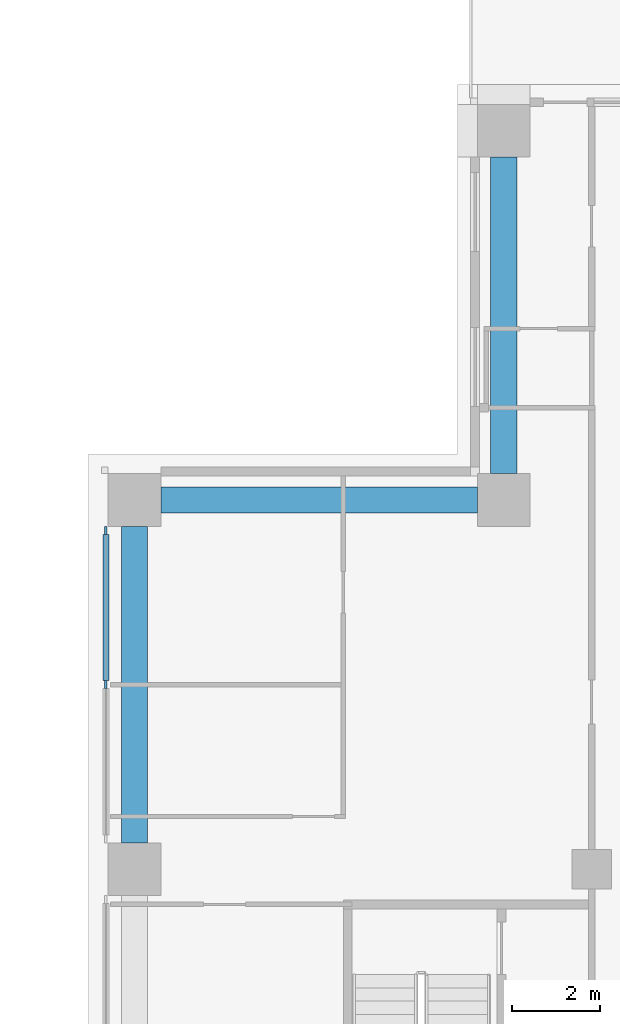
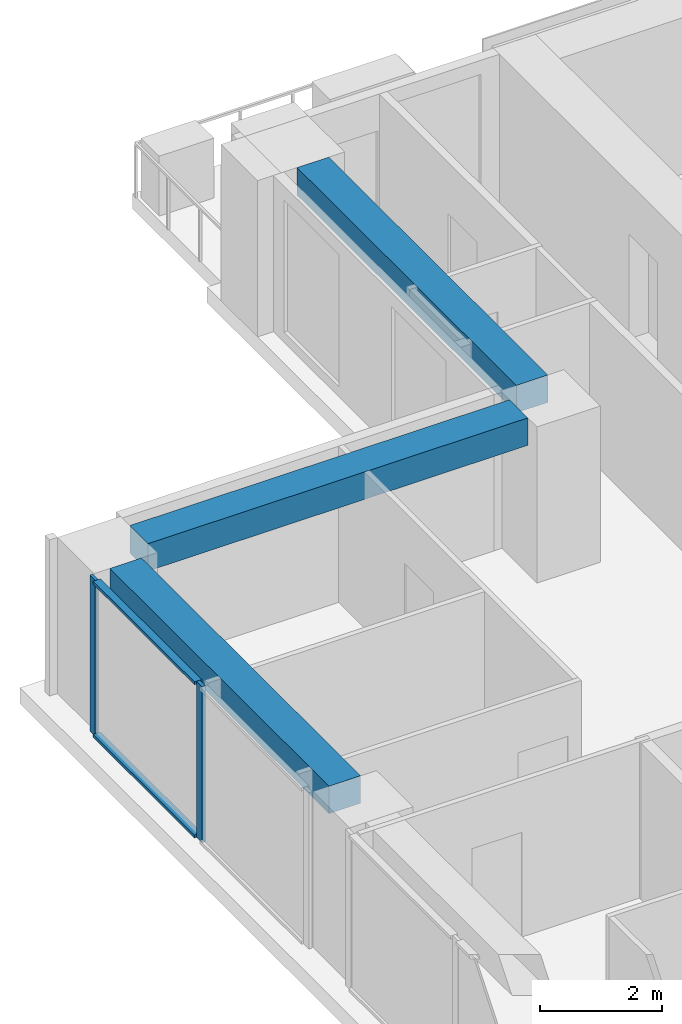
# One storey, part 5 of 18: 4 members, 3 beams, 1 element without a shape of its own.
"""IFC4 building model written with IfcOpenShell, lengths in metres."""

from ifc_helpers import new_model, si_unit, direction, frame, origin, origin_2d, place, context, subcontext, project, spatial, rectangle, extrude, material, material_profile, profile_set, type_object, element, aggregate, save


model = new_model("IFC4")

# Units and contexts
model_context = context("Model", 3, precision=1e-05, world=origin(), true_north=direction((0.0, 1.0)))
body_context = subcontext(model_context, "Body", "Model", "MODEL_VIEW")
ifc_project = project(units=[si_unit("LENGTHUNIT", "METRE"), si_unit("AREAUNIT", "SQUARE_METRE"), si_unit("VOLUMEUNIT", "CUBIC_METRE"), si_unit("PLANEANGLEUNIT", "RADIAN"), si_unit("MASSUNIT", "GRAM", prefix="KILO")], contexts=[model_context])

# Site, building, storey
site_placement = place(None, origin())
site = spatial("IfcSite", under=ifc_project, at=site_placement, CompositionType="ELEMENT")
building_placement = place(site_placement, origin())
building = spatial("IfcBuilding", under=site, at=building_placement, Name="Vermilion Ogive Tower", CompositionType="ELEMENT")
storey_placement = place(building_placement, frame((0.0, 0.0, 94.199951171875)))
storey = spatial("IfcBuildingStorey", under=building, at=storey_placement, Name="L23", CompositionType="ELEMENT", Elevation=94.199951171875)

# Curtain wall, members
ifc_material_1 = material(Name="Low-iron laminated glazing in aluminium frame", Category="aluminium")
curtain_wall_type = type_object("IfcCurtainWallType", Name="Curtain wall CW7", PredefinedType="NOTDEFINED", material=ifc_material_1)
curtain_wall_placement = place(storey_placement, origin())
curtain_wall = element("IfcCurtainWall", 1, at=curtain_wall_placement, inside=storey, type_object=curtain_wall_type, Name="Glazed skin W1", PredefinedType="NOTDEFINED")
ifc_material_2 = material(Name="Aluminium mullion", Category="aluminium")
ifc_material_profile_1 = material_profile(ifc_material_2, rectangle(XDim=0.06005859375, YDim=0.179931640625, at=origin_2d()), Name="AL 60x180")
ifc_profile_set_1 = profile_set([ifc_material_profile_1], Name="Aluminium mullion")
member_type_1 = type_object("IfcMemberType", Name="CW7 mullion 60x180", PredefinedType="MULLION", material=ifc_profile_set_1)
member_1_placement = place(storey_placement, frame((-25.85009765625, 11.909912109375, 0.0), z_axis=(0.0, 0.0, 1.0), x_axis=(1.0, 0.0, 0.0)))
member_1 = element("IfcMember", 2, at=member_1_placement, type_object=member_type_1, Name="CW7-W1 mullion 1", PredefinedType="MULLION", context=body_context, shape_type="SweptSolid", body=[
    extrude(rectangle(XDim=0.06005859375, YDim=0.179931640625, at=origin_2d()), origin(), (0.0, 0.0, 1.0), 3.130126953125),
])
member_2_placement = place(storey_placement, frame((-25.85009765625, 8.39990234375, 0.0), z_axis=(0.0, 0.0, 1.0), x_axis=(1.0, 0.0, 0.0)))
member_2 = element("IfcMember", 3, at=member_2_placement, type_object=member_type_1, Name="CW7-W1 mullion 2", PredefinedType="MULLION", context=body_context, shape_type="SweptSolid", body=[
    extrude(rectangle(XDim=0.06005859375, YDim=0.179931640625, at=origin_2d()), origin(), (0.0, 0.0, 1.0), 3.130126953125),
])
ifc_material_3 = material(Name="Aluminium transom", Category="aluminium")
ifc_material_profile_2 = material_profile(ifc_material_3, rectangle(XDim=0.139892578125, YDim=0.06005859375, at=origin_2d()), Name="AL 60x140")
ifc_profile_set_2 = profile_set([ifc_material_profile_2], Name="Aluminium transom")
member_type_2 = type_object("IfcMemberType", Name="CW7 transom 60x140", PredefinedType="USERDEFINED", material=ifc_profile_set_2)
member_3_placement = place(storey_placement, frame((-25.85009765625, 11.820068359375, 0.030029296875), z_axis=(0.0, -1.0, 0.0), x_axis=(1.0, 0.0, 0.0)))
member_3 = element("IfcMember", 4, at=member_3_placement, type_object=member_type_2, Name="CW7-W1 transom 1.1", ObjectType="TRANSOM", PredefinedType="USERDEFINED", context=body_context, shape_type="SweptSolid", body=[
    extrude(rectangle(XDim=0.139892578125, YDim=0.06005859375, at=origin_2d()), origin(), (0.0, 0.0, 1.0), 3.330078125),
])
member_4_placement = place(storey_placement, frame((-25.85009765625, 11.820068359375, 3.10009765625), z_axis=(0.0, -1.0, 0.0), x_axis=(1.0, 0.0, 0.0)))
member_4 = element("IfcMember", 5, at=member_4_placement, type_object=member_type_2, Name="CW7-W1 transom 1.2", ObjectType="TRANSOM", PredefinedType="USERDEFINED", context=body_context, shape_type="SweptSolid", body=[
    extrude(rectangle(XDim=0.139892578125, YDim=0.06005859375, at=origin_2d()), origin(), (0.0, 0.0, 1.0), 3.330078125),
])
aggregate(curtain_wall, [member_1, member_2, member_3, member_4])

# Beams
ifc_material_4 = material(Name="Concrete B45", Category="concrete")
ifc_material_profile_3 = material_profile(ifc_material_4, rectangle(XDim=0.60009765625, YDim=0.550048828125, at=origin_2d()), Name="600 x 550")
ifc_profile_set_3 = profile_set([ifc_material_profile_3], Name="Concrete B45")
beam_type = type_object("IfcBeamType", Name="Edge beam 600 x 550 B45", PredefinedType="BEAM", material=ifc_profile_set_3)
beam_1_placement = place(storey_placement, frame((-16.800048828125, 20.39990234375, 2.85498046875), z_axis=(0.0, -1.0, 0.0), x_axis=(1.0, 0.0, 0.0)))
element("IfcBeam", 6, at=beam_1_placement, inside=storey, type_object=beam_type, Name="L23-EB-12", PredefinedType="BEAM", context=body_context, shape_type="SweptSolid", body=[
    extrude(rectangle(XDim=0.60009765625, YDim=0.550048828125, at=origin_2d()), origin(), (0.0, 0.0, 1.0), 7.199951171875),
])
beam_2_placement = place(storey_placement, frame((-17.39990234375, 12.60009765625, 2.85498046875), z_axis=(-1.0, 0.0, 0.0), x_axis=(0.0, -1.0, 0.0)))
element("IfcBeam", 7, at=beam_2_placement, inside=storey, type_object=beam_type, Name="L23-EB-13", PredefinedType="BEAM", context=body_context, shape_type="SweptSolid", body=[
    extrude(rectangle(XDim=0.60009765625, YDim=0.550048828125, at=origin_2d()), origin(), (0.0, 0.0, 1.0), 7.2001953125),
])
beam_3_placement = place(storey_placement, frame((-25.199951171875, 12.0, 2.85498046875), z_axis=(0.0, -1.0, 0.0), x_axis=(1.0, 0.0, 0.0)))
element("IfcBeam", 8, at=beam_3_placement, inside=storey, type_object=beam_type, Name="L23-EB-14", PredefinedType="BEAM", context=body_context, shape_type="SweptSolid", body=[
    extrude(rectangle(XDim=0.60009765625, YDim=0.550048828125, at=origin_2d()), origin(), (0.0, 0.0, 1.0), 7.199951171875),
])

save(model, "model.ifc")
